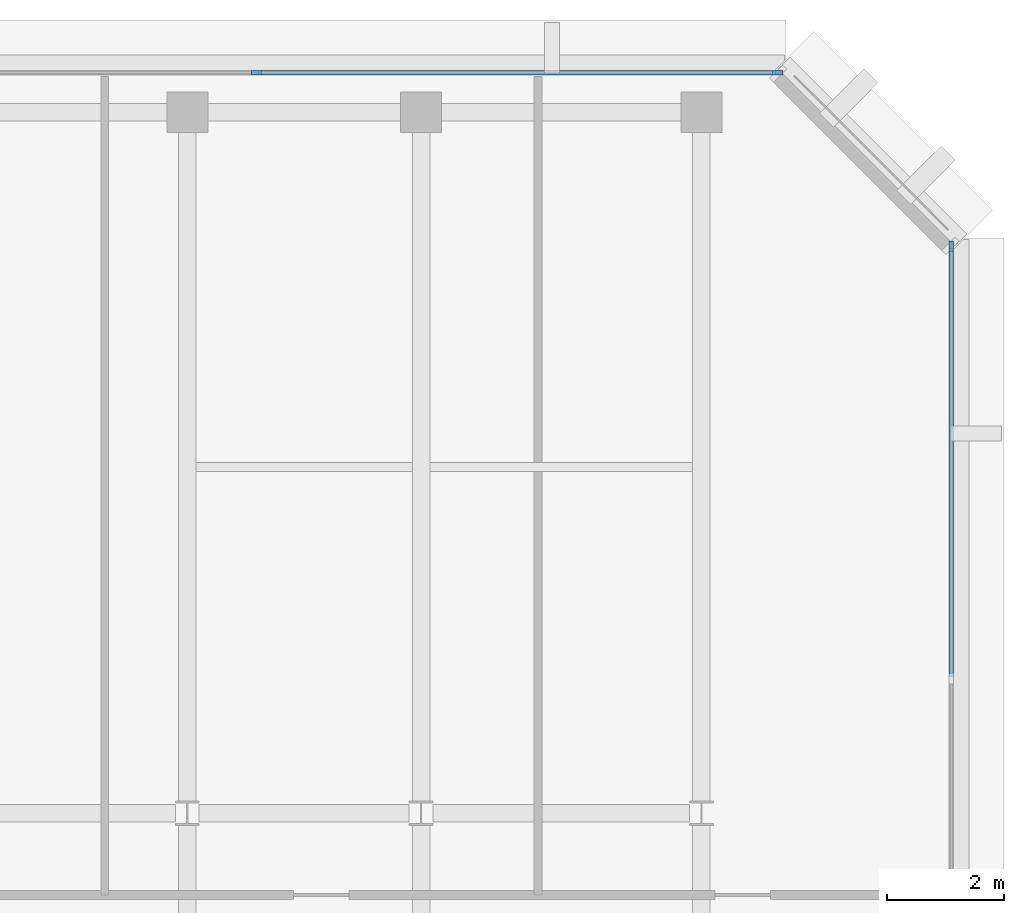
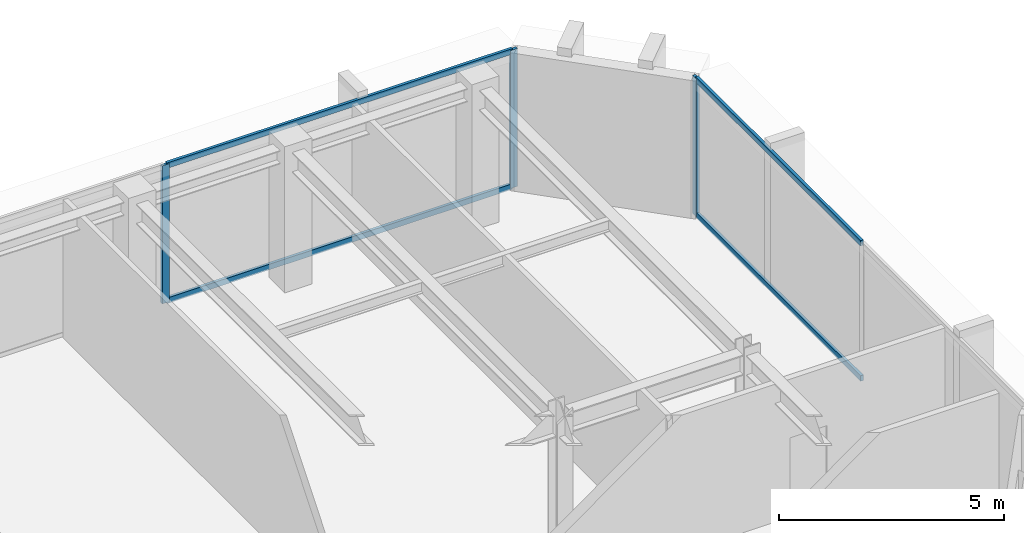
# One storey, part 5 of 11: 7 members, 2 elements without a shape of their own.
"""IFC4 building model written with IfcOpenShell, lengths in metres."""

from ifc_helpers import new_model, si_unit, direction, frame, origin, origin_2d, place, context, subcontext, project, spatial, rectangle, extrude, material, layer, layer_set, material_profile, profile_set, type_object, element, aggregate, save


model = new_model("IFC4")

# Units and contexts
model_context = context("Model", 3, precision=1e-05, world=origin(), true_north=direction((0.0, 1.0)))
body_context = subcontext(model_context, "Body", "Model", "MODEL_VIEW")
ifc_project = project(units=[si_unit("LENGTHUNIT", "METRE"), si_unit("AREAUNIT", "SQUARE_METRE"), si_unit("VOLUMEUNIT", "CUBIC_METRE"), si_unit("PLANEANGLEUNIT", "RADIAN"), si_unit("MASSUNIT", "GRAM", prefix="KILO")], contexts=[model_context])

# Site, building, storey
site_placement = place(None, origin())
site = spatial("IfcSite", under=ifc_project, at=site_placement, CompositionType="ELEMENT")
building_placement = place(site_placement, origin())
building = spatial("IfcBuilding", under=site, at=building_placement, Name="Kefirva Bronze Tower", CompositionType="ELEMENT")
storey_placement = place(building_placement, frame((0.0, 0.0, 299.969970703125)))
storey = spatial("IfcBuildingStorey", under=building, at=storey_placement, Name="L73", CompositionType="ELEMENT", Elevation=299.969970703125)

# Curtain wall, member
ifc_material = material(Name="Bronze anodised aluminium", Category="aluminium")
ifc_layer = layer(ifc_material, 0.179931640625, Name="Bronze anodised aluminium")
ifc_layer_set = layer_set([ifc_layer], Name="Bronze anodised aluminium")
curtain_wall_type = type_object("IfcCurtainWallType", Name="Unitised Bronze Ribbon Curtain Wall Zone 4", PredefinedType="USERDEFINED", material=ifc_layer_set)
curtain_wall_1_placement = place(storey_placement, origin())
curtain_wall_1 = element("IfcCurtainWall", 1, at=curtain_wall_1_placement, inside=storey, type_object=curtain_wall_type, Name="L73 Curtain Wall 3", ObjectType="UNITISED CURTAIN WALL", PredefinedType="USERDEFINED")
ifc_material_profile_1 = material_profile(ifc_material, rectangle(XDim=0.074951171875, YDim=0.179931640625, at=origin_2d()), Name="ALU 75x180")
ifc_profile_set_1 = profile_set([ifc_material_profile_1], Name="Bronze anodised aluminium")
member_type_1 = type_object("IfcMemberType", Name="Bronze Mullion 75x180", PredefinedType="MULLION", material=ifc_profile_set_1)
member_1_placement = place(storey_placement, frame((44.280029296875, 42.907470703125, 0.0), z_axis=(0.0, 0.0, 1.0), x_axis=(-1.0, 0.0, 0.0)))
member_1 = element("IfcMember", 2, at=member_1_placement, type_object=member_type_1, Name="CW-04 mullion 3", PredefinedType="MULLION", context=body_context, shape_type="SweptSolid", body=[
    extrude(rectangle(XDim=0.074951171875, YDim=0.179931640625, at=origin_2d()), origin(), (0.0, 0.0, 1.0), 3.739990234375),
])

# Curtain wall, members
curtain_wall_2_placement = place(storey_placement, origin())
curtain_wall_2 = element("IfcCurtainWall", 3, at=curtain_wall_2_placement, inside=storey, type_object=curtain_wall_type, Name="L73 Curtain Wall 4", ObjectType="UNITISED CURTAIN WALL", PredefinedType="USERDEFINED")
member_2_placement = place(storey_placement, frame((41.3076171875, 45.8798828125, 0.0), z_axis=(0.0, 0.0, 1.0), x_axis=(0.0, -1.0, 0.0)))
member_2 = element("IfcMember", 4, at=member_2_placement, type_object=member_type_1, Name="CW-04 mullion 1", PredefinedType="MULLION", context=body_context, shape_type="SweptSolid", body=[
    extrude(rectangle(XDim=0.074951171875, YDim=0.179931640625, at=origin_2d()), origin(), (0.0, 0.0, 1.0), 3.739990234375),
])
member_3_placement = place(storey_placement, frame((32.375, 45.8798828125, 0.0), z_axis=(0.0, 0.0, 1.0), x_axis=(0.0, -1.0, 0.0)))
member_3 = element("IfcMember", 5, at=member_3_placement, type_object=member_type_1, Name="CW-04 mullion 2", PredefinedType="MULLION", context=body_context, shape_type="SweptSolid", body=[
    extrude(rectangle(XDim=0.074951171875, YDim=0.179931640625, at=origin_2d()), origin(), (0.0, 0.0, 1.0), 3.739990234375),
])

# Member
ifc_material_profile_2 = material_profile(ifc_material, rectangle(XDim=0.074951171875, YDim=0.14990234375, at=origin_2d()), Name="ALU 75x150")
ifc_profile_set_2 = profile_set([ifc_material_profile_2], Name="Bronze anodised aluminium")
member_type_2 = type_object("IfcMemberType", Name="Bronze Transom 75x150", PredefinedType="USERDEFINED", material=ifc_profile_set_2)
member_4_placement = place(storey_placement, frame((44.280029296875, 35.53759765625, 0.03759765625), z_axis=(0.0, 1.0, 0.0), x_axis=(-1.0, 0.0, 0.0)))
member_4 = element("IfcMember", 6, at=member_4_placement, type_object=member_type_2, Name="CW-04 transom 2.1", ObjectType="TRANSOM", PredefinedType="USERDEFINED", context=body_context, shape_type="SweptSolid", body=[
    extrude(rectangle(XDim=0.074951171875, YDim=0.14990234375, at=origin_2d()), origin(), (0.0, 0.0, 1.0), 7.33251953125),
])

member_5_placement = place(storey_placement, frame((44.280029296875, 35.53759765625, 3.70263671875), z_axis=(0.0, 1.0, 0.0), x_axis=(-1.0, 0.0, 0.0)))
member_5 = element("IfcMember", 7, at=member_5_placement, type_object=member_type_2, Name="CW-04 transom 2.2", ObjectType="TRANSOM", PredefinedType="USERDEFINED", context=body_context, shape_type="SweptSolid", body=[
    extrude(rectangle(XDim=0.074951171875, YDim=0.14990234375, at=origin_2d()), origin(), (0.0, 0.0, 1.0), 7.33251953125),
])

aggregate(curtain_wall_1, [member_1, member_4, member_5])

member_6_placement = place(storey_placement, frame((41.27001953125, 45.8798828125, 0.03759765625), z_axis=(-1.0, 0.0, 0.0), x_axis=(0.0, -1.0, 0.0)))
member_6 = element("IfcMember", 8, at=member_6_placement, type_object=member_type_2, Name="CW-04 transom 1.1", ObjectType="TRANSOM", PredefinedType="USERDEFINED", context=body_context, shape_type="SweptSolid", body=[
    extrude(rectangle(XDim=0.074951171875, YDim=0.14990234375, at=origin_2d()), origin(), (0.0, 0.0, 1.0), 8.857421875),
])

member_7_placement = place(storey_placement, frame((41.27001953125, 45.8798828125, 3.70263671875), z_axis=(-1.0, 0.0, 0.0), x_axis=(0.0, -1.0, 0.0)))
member_7 = element("IfcMember", 9, at=member_7_placement, type_object=member_type_2, Name="CW-04 transom 1.2", ObjectType="TRANSOM", PredefinedType="USERDEFINED", context=body_context, shape_type="SweptSolid", body=[
    extrude(rectangle(XDim=0.074951171875, YDim=0.14990234375, at=origin_2d()), origin(), (0.0, 0.0, 1.0), 8.857421875),
])

aggregate(curtain_wall_2, [member_2, member_3, member_6, member_7])

save(model, "model.ifc")
